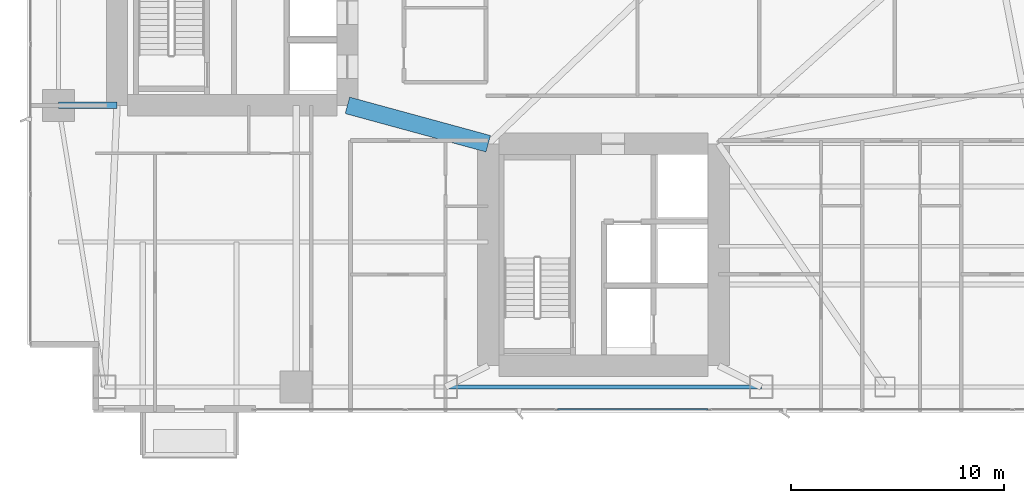
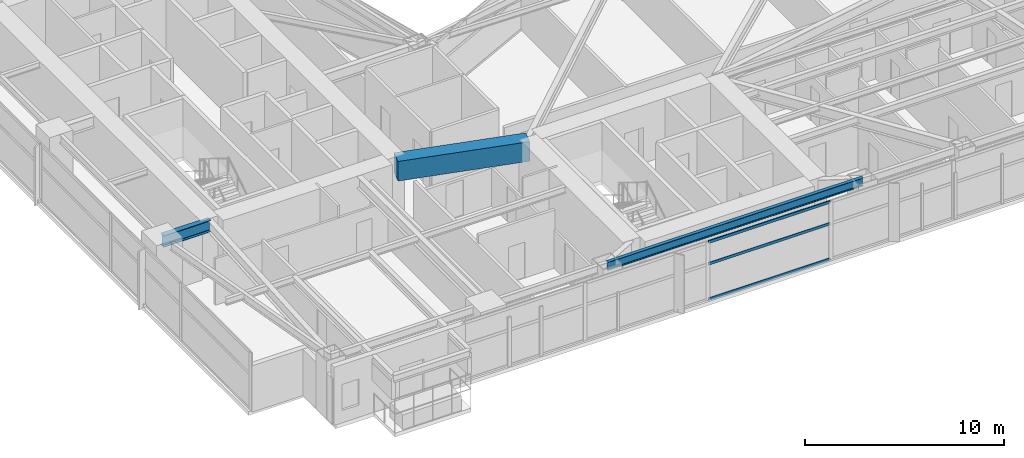
# One storey, part 7 of 30: 3 beams, 3 members, 1 element without a shape of its own.
"""IFC4 building model written with IfcOpenShell, lengths in metres."""

from ifc_helpers import new_model, si_unit, direction, frame, origin, origin_2d, place, context, subcontext, project, spatial, rectangle, hollow_rectangle, i_section, extrude, material, layer, layer_set, material_profile, profile_set, type_object, element, aggregate, save


model = new_model("IFC4")

# Units and contexts
model_context = context("Model", 3, precision=1e-05, world=origin(), true_north=direction((0.0, 1.0)))
body_context = subcontext(model_context, "Body", "Model", "MODEL_VIEW")
ifc_project = project(units=[si_unit("LENGTHUNIT", "METRE"), si_unit("AREAUNIT", "SQUARE_METRE"), si_unit("VOLUMEUNIT", "CUBIC_METRE"), si_unit("PLANEANGLEUNIT", "RADIAN"), si_unit("MASSUNIT", "GRAM", prefix="KILO")], contexts=[model_context])

# Site, building, storey
site_placement = place(None, origin())
site = spatial("IfcSite", under=ifc_project, at=site_placement, CompositionType="ELEMENT")
building_placement = place(site_placement, origin())
building = spatial("IfcBuilding", under=site, at=building_placement, Name="Calvorn Quay Hotel", CompositionType="ELEMENT")
storey_placement = place(building_placement, frame((0.0, 0.0, 50.800048828125)))
storey = spatial("IfcBuildingStorey", under=building, at=storey_placement, Name="L11", CompositionType="ELEMENT", Elevation=50.800048828125)

# Beams
ifc_material_1 = material(Name="Steel Q390GJC", Category="steel")
ifc_material_profile_1 = material_profile(ifc_material_1, i_section(OverallWidth=0.300048828125, OverallDepth=0.699951171875, WebThickness=0.012939453125, FlangeThickness=0.02392578125, FilletRadius=0.02392578125, at=origin_2d()), Name="HN700x300x13x24")
ifc_profile_set_1 = profile_set([ifc_material_profile_1], Name="Steel Q390GJC")
beam_type_1 = type_object("IfcBeamType", Name="BM-GIRD-MAIN", PredefinedType="BEAM", material=ifc_profile_set_1)
beam_1_placement = place(storey_placement, frame((1.449951171875, 16.800048828125, 3.18994140625), z_axis=(1.0, 0.0, 0.0), x_axis=(0.0, 1.0, 0.0)))
element("IfcBeam", 1, at=beam_1_placement, inside=storey, type_object=beam_type_1, Name="Beam BG-L11-W1", PredefinedType="BEAM", context=body_context, shape_type="SweptSolid", body=[
    extrude(i_section(OverallWidth=0.300048828125, OverallDepth=0.699951171875, WebThickness=0.012939453125, FlangeThickness=0.02392578125, FilletRadius=0.02392578125, at=origin_2d()), origin(), (0.0, 0.0, 1.0), 2.75),
])
ifc_material_2 = material(Name="Concrete C60", Category="concrete")
ifc_material_profile_2 = material_profile(ifc_material_2, rectangle(XDim=0.800048828125, YDim=1.199951171875, at=origin_2d()), Name="RCB800x1200")
ifc_profile_set_2 = profile_set([ifc_material_profile_2], Name="Concrete C60")
beam_type_2 = type_object("IfcBeamType", Name="BM-RC-LINK-800x1200", PredefinedType="BEAM", material=ifc_profile_set_2)
beam_2_placement = place(storey_placement, frame((15.0, 16.800048828125, 2.93994140625), z_axis=(0.964762997686, -0.263120425462, 0.0), x_axis=(0.263120425462, 0.964762997686, 0.0)))
element("IfcBeam", 2, at=beam_2_placement, inside=storey, type_object=beam_type_2, Name="Beam BCL-L11-01", PredefinedType="BEAM", context=body_context, shape_type="SweptSolid", body=[
    extrude(rectangle(XDim=0.800048828125, YDim=1.199951171875, at=origin_2d()), origin(), (0.0, 0.0, 1.0), 6.841064453125),
])
ifc_material_3 = material(Name="Steel Q355B", Category="steel")
ifc_material_profile_3 = material_profile(ifc_material_3, i_section(OverallWidth=0.199951171875, OverallDepth=0.5, WebThickness=0.010009765625, FlangeThickness=0.01611328125, FilletRadius=0.01611328125, at=origin_2d()), Name="HN500x200x10x16")
ifc_profile_set_3 = profile_set([ifc_material_profile_3], Name="Steel Q355B")
beam_type_3 = type_object("IfcBeamType", Name="BM-SPANDREL-Z1", PredefinedType="SPANDREL", material=ifc_profile_set_3)
beam_3_placement = place(storey_placement, frame((19.60009765625, 3.60009765625, 3.2900390625), z_axis=(1.0, 0.0, 0.0), x_axis=(0.0, 1.0, 0.0)))
element("IfcBeam", 3, at=beam_3_placement, inside=storey, type_object=beam_type_3, Name="Beam BSP-L11-S3", PredefinedType="SPANDREL", context=body_context, shape_type="SweptSolid", body=[
    extrude(i_section(OverallWidth=0.199951171875, OverallDepth=0.5, WebThickness=0.010009765625, FlangeThickness=0.01611328125, FilletRadius=0.01611328125, at=origin_2d()), origin(), (0.0, 0.0, 1.0), 14.7998046875),
])

# Curtain wall, members
ifc_material_4 = material(Name="Pale Anodised Aluminium and Low-E Glass", Category="aluminium")
ifc_layer = layer(ifc_material_4, 0.219970703125)
ifc_layer_set = layer_set([ifc_layer], Name="CW-SYS-Z1")
curtain_wall_type = type_object("IfcCurtainWallType", Name="CW-SYS-Z1", PredefinedType="NOTDEFINED", material=ifc_layer_set)
curtain_wall_placement = place(storey_placement, origin())
curtain_wall = element("IfcCurtainWall", 4, at=curtain_wall_placement, inside=storey, type_object=curtain_wall_type, Name="Tower South Waterfront Curtain Wall (L11)", PredefinedType="NOTDEFINED")
ifc_material_5 = material(Name="Pale Anodised Aluminium 6063-T6", Category="aluminium")
ifc_material_profile_4 = material_profile(ifc_material_5, hollow_rectangle(XDim=0.06494140625, YDim=0.1650390625, WallThickness=0.00341796875, at=origin_2d()), Name="ALU-T165x65x3.5")
ifc_profile_set_4 = profile_set([ifc_material_profile_4], Name="Pale Anodised Aluminium 6063-T6")
member_type = type_object("IfcMemberType", Name="CW-SYS-Z1-TRN", PredefinedType="USERDEFINED", material=ifc_profile_set_4)
member_1_placement = place(storey_placement, frame((24.858642578125, 2.550048828125, 0.030029296875), z_axis=(1.0, 0.0, 0.0), x_axis=(0.0, 1.0, 0.0)))
member_1 = element("IfcMember", 5, at=member_1_placement, type_object=member_type, Name="CW-L11-S transom 3.1", ObjectType="TRANSOM", PredefinedType="USERDEFINED", context=body_context, shape_type="SweptSolid", body=[
    extrude(hollow_rectangle(XDim=0.06494140625, YDim=0.1650390625, WallThickness=0.00341796875, at=origin_2d()), origin(), (0.0, 0.0, 1.0), 7.05419921875),
])
member_2_placement = place(storey_placement, frame((24.858642578125, 2.550048828125, 2.199951171875), z_axis=(1.0, 0.0, 0.0), x_axis=(0.0, 1.0, 0.0)))
member_2 = element("IfcMember", 6, at=member_2_placement, type_object=member_type, Name="CW-L11-S transom 3.2", ObjectType="TRANSOM", PredefinedType="USERDEFINED", context=body_context, shape_type="SweptSolid", body=[
    extrude(hollow_rectangle(XDim=0.06494140625, YDim=0.1650390625, WallThickness=0.00341796875, at=origin_2d()), origin(), (0.0, 0.0, 1.0), 7.05419921875),
])
member_3_placement = place(storey_placement, frame((24.858642578125, 2.550048828125, 3.530029296875), z_axis=(1.0, 0.0, 0.0), x_axis=(0.0, 1.0, 0.0)))
member_3 = element("IfcMember", 7, at=member_3_placement, type_object=member_type, Name="CW-L11-S transom 3.3", ObjectType="TRANSOM", PredefinedType="USERDEFINED", context=body_context, shape_type="SweptSolid", body=[
    extrude(hollow_rectangle(XDim=0.06494140625, YDim=0.1650390625, WallThickness=0.00341796875, at=origin_2d()), origin(), (0.0, 0.0, 1.0), 7.05419921875),
])
aggregate(curtain_wall, [member_1, member_2, member_3])

save(model, "model.ifc")
